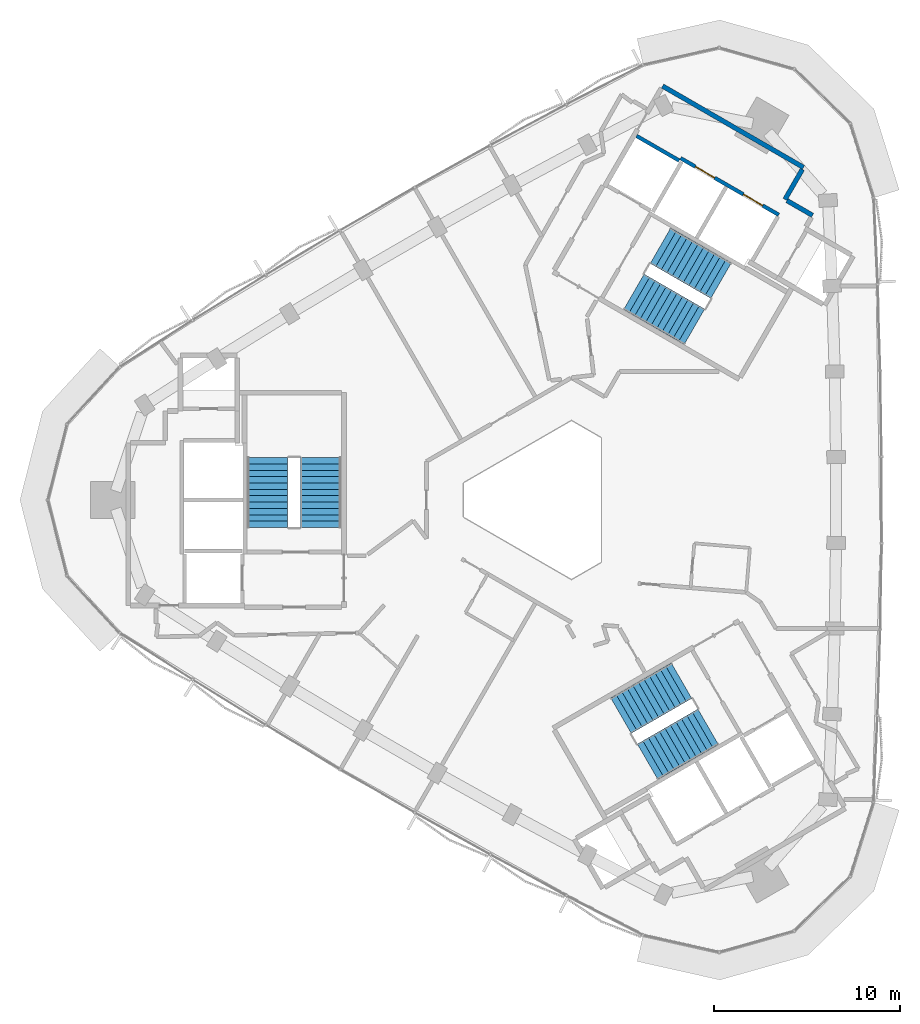
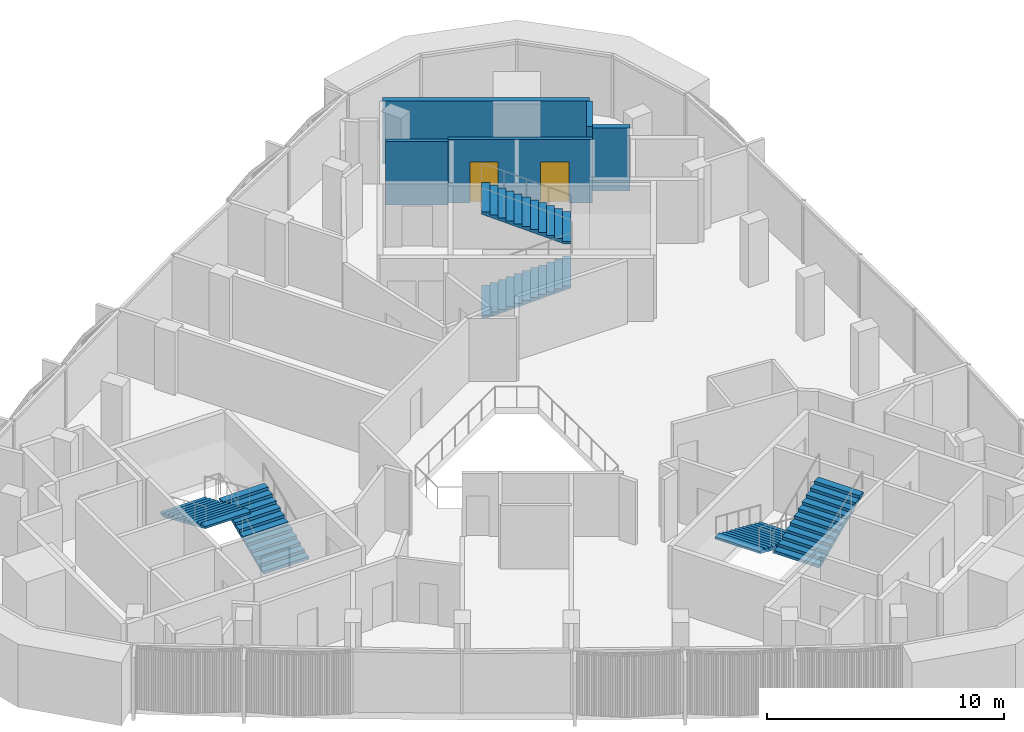
# One storey, part 9 of 12: 6 stair flights, 5 walls, 2 doors, 2 openings, 3 elements without a shape of their own.
"""IFC4 building model written with IfcOpenShell, lengths in metres."""

from ifc_helpers import new_model, si_unit, direction, frame, frame_2d, origin, place, context, subcontext, project, spatial, polyline, rectangle, outline, extrude, material, layer, layer_set, type_object, element, fill, aggregate, save


model = new_model("IFC4")

# Units and contexts
model_context = context("Model", 3, precision=1e-05, world=origin(), true_north=direction((0.0, 1.0)))
body_context = subcontext(model_context, "Body", "Model", "MODEL_VIEW")
ifc_project = project(units=[si_unit("LENGTHUNIT", "METRE"), si_unit("AREAUNIT", "SQUARE_METRE"), si_unit("VOLUMEUNIT", "CUBIC_METRE"), si_unit("PLANEANGLEUNIT", "RADIAN"), si_unit("MASSUNIT", "GRAM", prefix="KILO")], contexts=[model_context])

# Site, building, storey
site_placement = place(None, origin())
site = spatial("IfcSite", under=ifc_project, at=site_placement, CompositionType="ELEMENT")
building_placement = place(site_placement, origin())
building = spatial("IfcBuilding", under=site, at=building_placement, Name="Tamra Quay Hotel Tower", CompositionType="ELEMENT")
storey_placement = place(building_placement, frame((0.0, 0.0, 280.199951171875)))
storey = spatial("IfcBuildingStorey", under=building, at=storey_placement, Name="L71", CompositionType="ELEMENT", Elevation=280.199951171875)

# Wall, openings, doors
ifc_material_1 = material(Name="Concrete M70", Category="concrete")
ifc_layer_1 = layer(ifc_material_1, 0.199951171875)
ifc_layer_set_1 = layer_set([ifc_layer_1], Name="Concrete M70 core wall 200")
wall_type_1 = type_object("IfcWallType", Name="Concrete M70 core wall 200", PredefinedType="SHEAR", material=ifc_layer_set_1)
wall_1_placement = place(storey_placement, frame((12.552490234375, 15.341552734375, 0.0), z_axis=(0.0, 0.0, 1.0), x_axis=(-0.866030299012, 0.499991521122, 0.0)))
wall_1 = element("IfcWall", 1, at=wall_1_placement, inside=storey, type_object=wall_type_1, Name="CW2", PredefinedType="SHEAR", context=body_context, shape_type="SweptSolid", body=[
    extrude(rectangle(XDim=6.10009765625, YDim=0.199951171875, at=frame_2d((3.050048828125, 0.0))), origin(), (0.0, 0.0, 1.0), 3.25),
])
opening_1_placement = place(wall_1_placement, frame((1.0, 0.0, 0.0)))
opening_1 = element("IfcOpeningElement", 2, at=opening_1_placement, cuts=wall_1, Name="Opening LD", PredefinedType="OPENING", context=body_context, shape_type="SweptSolid", body=[
    extrude(rectangle(XDim=1.199951171875, YDim=2.10009765625, at=frame_2d((0.60009765625, 1.050048828125))), frame((0.0, 0.10986328125, 0.0), z_axis=(0.0, -1.0, 0.0), x_axis=(1.0, 0.0, 0.0)), (0.0, 0.0, 1.0), 0.219970703125),
])
opening_2_placement = place(wall_1_placement, frame((3.982177734375, 0.0, 0.0)))
opening_2 = element("IfcOpeningElement", 3, at=opening_2_placement, cuts=wall_1, Name="Opening LD", PredefinedType="OPENING", context=body_context, shape_type="SweptSolid", body=[
    extrude(rectangle(XDim=1.199951171875, YDim=2.10009765625, at=frame_2d((0.60009765625, 1.050048828125))), frame((0.0, 0.10986328125, 0.0), z_axis=(0.0, -1.0, 0.0), x_axis=(1.0, 0.0, 0.0)), (0.0, 0.0, 1.0), 0.219970703125),
])
ifc_material_2 = material(Name="Landing door LD 1200 double door sliding")
door_type = type_object("IfcDoorType", Name="Landing door LD 1200 double door sliding", OperationType="DOUBLE_DOOR_SLIDING", PredefinedType="DOOR", material=ifc_material_2)
door_1_placement = place(opening_1_placement, origin())
door_1 = element("IfcDoor", 4, at=door_1_placement, inside=storey, type_object=door_type, Name="LD", OperationType="DOUBLE_DOOR_SLIDING", OverallHeight=2.10009765625, OverallWidth=1.199951171875, PredefinedType="DOOR", context=body_context, shape_type="SweptSolid", body=[
    extrude(rectangle(XDim=1.199951171875, YDim=2.10009765625, at=frame_2d((0.60009765625, 1.050048828125))), frame((0.0, 0.02490234375, 0.0), z_axis=(0.0, -1.0, 0.0), x_axis=(1.0, 0.0, 0.0)), (0.0, 0.0, 1.0), 0.050048828125),
])
fill(opening_1, door_1)
door_2_placement = place(opening_2_placement, origin())
door_2 = element("IfcDoor", 5, at=door_2_placement, inside=storey, type_object=door_type, Name="LD", OperationType="DOUBLE_DOOR_SLIDING", OverallHeight=2.10009765625, OverallWidth=1.199951171875, PredefinedType="DOOR", context=body_context, shape_type="SweptSolid", body=[
    extrude(rectangle(XDim=1.199951171875, YDim=2.10009765625, at=frame_2d((0.60009765625, 1.050048828125))), frame((0.0, 0.02490234375, 0.0), z_axis=(0.0, -1.0, 0.0), x_axis=(1.0, 0.0, 0.0)), (0.0, 0.0, 1.0), 0.050048828125),
])
fill(opening_2, door_2)

# Walls
wall_2_placement = place(storey_placement, frame((7.1962890625, 18.260498046875, 0.0), z_axis=(0.0, 0.0, 1.0), x_axis=(-0.866018407898, 0.500012117035, 0.0)))
element("IfcWall", 6, at=wall_2_placement, inside=storey, type_object=wall_type_1, Name="CW2", PredefinedType="SHEAR", context=body_context, shape_type="SweptSolid", body=[
    extrude(rectangle(XDim=2.65087890625, YDim=0.199951171875, at=frame_2d((1.325439453125, 0.0))), origin(), (0.0, 0.0, 1.0), 3.25),
])
ifc_layer_2 = layer(ifc_material_1, 0.25)
ifc_layer_set_2 = layer_set([ifc_layer_2], Name="Concrete M70 core wall 250")
wall_type_2 = type_object("IfcWallType", Name="Concrete M70 core wall 250", PredefinedType="SHEAR", material=ifc_layer_set_2)
wall_3_placement = place(storey_placement, frame((6.303955078125, 22.268798828125, 0.0), z_axis=(0.0, 0.0, 1.0), x_axis=(0.866022959057, -0.500004234368, 0.0)))
element("IfcWall", 7, at=wall_3_placement, inside=storey, type_object=wall_type_2, Name="CW1", PredefinedType="SHEAR", context=body_context, shape_type="SweptSolid", body=[
    extrude(rectangle(XDim=8.75, YDim=0.25, at=frame_2d((4.375, 0.0))), origin(), (0.0, 0.0, 1.0), 3.25),
])
wall_4_placement = place(storey_placement, frame((13.819091796875, 17.78515625, 0.0), z_axis=(0.0, 0.0, 1.0), x_axis=(-0.500039802285, -0.866002422705, 0.0)))
element("IfcWall", 8, at=wall_4_placement, inside=storey, type_object=wall_type_2, Name="CW1", PredefinedType="SHEAR", context=body_context, shape_type="SweptSolid", body=[
    extrude(rectangle(XDim=1.864501953125, YDim=0.25, at=frame_2d((0.93212890625, 0.0))), origin(), (0.0, 0.0, 1.0), 3.25),
])
wall_5_placement = place(storey_placement, frame((12.995361328125, 16.107666015625, 0.0), z_axis=(0.0, 0.0, 1.0), x_axis=(0.866044474677, -0.49996696679, 0.0)))
element("IfcWall", 9, at=wall_5_placement, inside=storey, type_object=wall_type_2, Name="CW1", PredefinedType="SHEAR", context=body_context, shape_type="SweptSolid", body=[
    extrude(rectangle(XDim=1.58447265625, YDim=0.25, at=frame_2d((0.792236328125, 0.0))), origin(), (0.0, 0.0, 1.0), 3.25),
])

# Stair, stair flights
ifc_material_3 = material(Name="Exit stair 2200 24 risers 150.0 going 342")
stair_type = type_object("IfcStairType", Name="Exit stair 2200 24 risers 150.0 going 342", PredefinedType="HALF_TURN_STAIR", material=ifc_material_3)
stair_1_placement = place(storey_placement, origin())
stair_1 = element("IfcStair", 10, at=stair_1_placement, inside=storey, type_object=stair_type, Name="L71 Exit stair ST3", PredefinedType="HALF_TURN_STAIR")
ifc_material_4 = material(Name="Exit stair flight 2200 12 risers 150.0")
stair_flight_type = type_object("IfcStairFlightType", Name="Exit stair flight 2200 12 risers 150.0", PredefinedType="STRAIGHT", material=ifc_material_4)
stair_flight_1_placement = place(storey_placement, frame((-12.082275390625, -1.47998046875, 0.0), z_axis=(0.0, 0.0, 1.0), x_axis=(0.0, 1.0, 0.0)))
stair_flight_1 = element("IfcStairFlight", 11, at=stair_flight_1_placement, type_object=stair_flight_type, Name="ST3 flight 1", NumberOfRisers=12, NumberOfTreads=11, PredefinedType="STRAIGHT", RiserHeight=0.15, TreadLength=0.342, context=body_context, shape_type="SweptSolid", body=[
    extrude(outline(polyline([(0.0, 0.0), (0.0, 0.14990234375), (0.342041015625, 0.14990234375), (0.342041015625, 0.300048828125), (0.68408203125, 0.300048828125), (0.68408203125, 0.449951171875), (1.02587890625, 0.449951171875), (1.02587890625, 0.60009765625), (1.367919921875, 0.60009765625), (1.367919921875, 0.75), (1.7099609375, 0.75), (1.7099609375, 0.89990234375), (2.052001953125, 0.89990234375), (2.052001953125, 1.050048828125), (2.39404296875, 1.050048828125), (2.39404296875, 1.199951171875), (2.736083984375, 1.199951171875), (2.736083984375, 1.35009765625), (3.077880859375, 1.35009765625), (3.077880859375, 1.5), (3.419921875, 1.5), (3.419921875, 1.64990234375), (3.761962890625, 1.64990234375), (3.761962890625, 1.800048828125), (3.761962890625, 1.540771484375), (0.249267578125, 0.0), (0.0, 0.0)])), frame((0.0, 1.10009765625, 0.0), z_axis=(0.0, -1.0, 0.0), x_axis=(1.0, 0.0, 0.0)), (0.0, 0.0, 1.0), 2.199951171875),
])
stair_flight_2_placement = place(storey_placement, frame((-14.94140625, 2.281982421875, 1.800048828125), z_axis=(0.0, 0.0, 1.0), x_axis=(0.0, -1.0, 0.0)))
stair_flight_2 = element("IfcStairFlight", 12, at=stair_flight_2_placement, type_object=stair_flight_type, Name="ST3 flight 2", NumberOfRisers=12, NumberOfTreads=11, PredefinedType="STRAIGHT", RiserHeight=0.15, TreadLength=0.342, context=body_context, shape_type="SweptSolid", body=[
    extrude(outline(polyline([(0.0, 0.0), (0.0, 0.14990234375), (0.342041015625, 0.14990234375), (0.342041015625, 0.300048828125), (0.68408203125, 0.300048828125), (0.68408203125, 0.449951171875), (1.02587890625, 0.449951171875), (1.02587890625, 0.60009765625), (1.367919921875, 0.60009765625), (1.367919921875, 0.75), (1.7099609375, 0.75), (1.7099609375, 0.89990234375), (2.052001953125, 0.89990234375), (2.052001953125, 1.050048828125), (2.39404296875, 1.050048828125), (2.39404296875, 1.199951171875), (2.736083984375, 1.199951171875), (2.736083984375, 1.35009765625), (3.077880859375, 1.35009765625), (3.077880859375, 1.5), (3.419921875, 1.5), (3.419921875, 1.64990234375), (3.761962890625, 1.64990234375), (3.761962890625, 1.800048828125), (3.761962890625, 1.540771484375), (0.249267578125, 0.0), (0.0, 0.0)])), frame((0.0, 1.10009765625, 0.0), z_axis=(0.0, -1.0, 0.0), x_axis=(1.0, 0.0, 0.0)), (0.0, 0.0, 1.0), 2.199951171875),
])
aggregate(stair_1, [stair_flight_1, stair_flight_2])

stair_2_placement = place(storey_placement, origin())
stair_2 = element("IfcStair", 13, at=stair_2_placement, inside=storey, type_object=stair_type, Name="L71 Exit stair ST1", PredefinedType="HALF_TURN_STAIR")
stair_flight_3_placement = place(storey_placement, frame((4.75927734375, 11.20361328125, 0.0), z_axis=(0.0, 0.0, 1.0), x_axis=(0.866025403784, -0.5, 0.0)))
stair_flight_3 = element("IfcStairFlight", 14, at=stair_flight_3_placement, type_object=stair_flight_type, Name="ST1 flight 1", NumberOfRisers=12, NumberOfTreads=11, PredefinedType="STRAIGHT", RiserHeight=0.15, TreadLength=0.342, context=body_context, shape_type="SweptSolid", body=[
    extrude(outline(polyline([(0.0, 0.0), (0.0, 0.14990234375), (0.342041015625, 0.14990234375), (0.342041015625, 0.300048828125), (0.68408203125, 0.300048828125), (0.68408203125, 0.449951171875), (1.02587890625, 0.449951171875), (1.02587890625, 0.60009765625), (1.367919921875, 0.60009765625), (1.367919921875, 0.75), (1.7099609375, 0.75), (1.7099609375, 0.89990234375), (2.052001953125, 0.89990234375), (2.052001953125, 1.050048828125), (2.39404296875, 1.050048828125), (2.39404296875, 1.199951171875), (2.736083984375, 1.199951171875), (2.736083984375, 1.35009765625), (3.077880859375, 1.35009765625), (3.077880859375, 1.5), (3.419921875, 1.5), (3.419921875, 1.64990234375), (3.761962890625, 1.64990234375), (3.761962890625, 1.800048828125), (3.761962890625, 1.540771484375), (0.249267578125, 0.0), (0.0, 0.0)])), frame((0.0, 1.10009765625, 0.0), z_axis=(0.0, -1.0, 0.0), x_axis=(1.0, 0.0, 0.0)), (0.0, 0.0, 1.0), 2.199951171875),
])
stair_flight_4_placement = place(storey_placement, frame((9.44677734375, 11.798583984375, 1.800048828125), z_axis=(0.0, 0.0, 1.0), x_axis=(-0.866025403784, 0.5, 0.0)))
stair_flight_4 = element("IfcStairFlight", 15, at=stair_flight_4_placement, type_object=stair_flight_type, Name="ST1 flight 2", NumberOfRisers=12, NumberOfTreads=11, PredefinedType="STRAIGHT", RiserHeight=0.15, TreadLength=0.342, context=body_context, shape_type="SweptSolid", body=[
    extrude(outline(polyline([(0.0, 0.0), (0.0, 0.14990234375), (0.342041015625, 0.14990234375), (0.342041015625, 0.300048828125), (0.68408203125, 0.300048828125), (0.68408203125, 0.449951171875), (1.02587890625, 0.449951171875), (1.02587890625, 0.60009765625), (1.367919921875, 0.60009765625), (1.367919921875, 0.75), (1.7099609375, 0.75), (1.7099609375, 0.89990234375), (2.052001953125, 0.89990234375), (2.052001953125, 1.050048828125), (2.39404296875, 1.050048828125), (2.39404296875, 1.199951171875), (2.736083984375, 1.199951171875), (2.736083984375, 1.35009765625), (3.077880859375, 1.35009765625), (3.077880859375, 1.5), (3.419921875, 1.5), (3.419921875, 1.64990234375), (3.761962890625, 1.64990234375), (3.761962890625, 1.800048828125), (3.761962890625, 1.540771484375), (0.249267578125, 0.0), (0.0, 0.0)])), frame((0.0, 1.10009765625, 0.0), z_axis=(0.0, -1.0, 0.0), x_axis=(1.0, 0.0, 0.0)), (0.0, 0.0, 1.0), 2.199951171875),
])
aggregate(stair_2, [stair_flight_3, stair_flight_4])

stair_3_placement = place(storey_placement, origin())
stair_3 = element("IfcStair", 16, at=stair_3_placement, inside=storey, type_object=stair_type, Name="L71 Exit stair ST2", PredefinedType="HALF_TURN_STAIR")
stair_flight_5_placement = place(storey_placement, frame((7.322998046875, -9.7236328125, 0.0), z_axis=(0.0, 0.0, 1.0), x_axis=(-0.866025403784, -0.5, 0.0)))
stair_flight_5 = element("IfcStairFlight", 17, at=stair_flight_5_placement, type_object=stair_flight_type, Name="ST2 flight 1", NumberOfRisers=12, NumberOfTreads=11, PredefinedType="STRAIGHT", RiserHeight=0.15, TreadLength=0.342, context=body_context, shape_type="SweptSolid", body=[
    extrude(outline(polyline([(0.0, 0.0), (0.0, 0.14990234375), (0.342041015625, 0.14990234375), (0.342041015625, 0.300048828125), (0.68408203125, 0.300048828125), (0.68408203125, 0.449951171875), (1.02587890625, 0.449951171875), (1.02587890625, 0.60009765625), (1.367919921875, 0.60009765625), (1.367919921875, 0.75), (1.7099609375, 0.75), (1.7099609375, 0.89990234375), (2.052001953125, 0.89990234375), (2.052001953125, 1.050048828125), (2.39404296875, 1.050048828125), (2.39404296875, 1.199951171875), (2.736083984375, 1.199951171875), (2.736083984375, 1.35009765625), (3.077880859375, 1.35009765625), (3.077880859375, 1.5), (3.419921875, 1.5), (3.419921875, 1.64990234375), (3.761962890625, 1.64990234375), (3.761962890625, 1.800048828125), (3.761962890625, 1.540771484375), (0.249267578125, 0.0), (0.0, 0.0)])), frame((0.0, 1.10009765625, 0.0), z_axis=(0.0, -1.0, 0.0), x_axis=(1.0, 0.0, 0.0)), (0.0, 0.0, 1.0), 2.199951171875),
])
stair_flight_6_placement = place(storey_placement, frame((5.494384765625, -14.08056640625, 1.800048828125), z_axis=(0.0, 0.0, 1.0), x_axis=(0.866025403784, 0.5, 0.0)))
stair_flight_6 = element("IfcStairFlight", 18, at=stair_flight_6_placement, type_object=stair_flight_type, Name="ST2 flight 2", NumberOfRisers=12, NumberOfTreads=11, PredefinedType="STRAIGHT", RiserHeight=0.15, TreadLength=0.342, context=body_context, shape_type="SweptSolid", body=[
    extrude(outline(polyline([(0.0, 0.0), (0.0, 0.14990234375), (0.342041015625, 0.14990234375), (0.342041015625, 0.300048828125), (0.68408203125, 0.300048828125), (0.68408203125, 0.449951171875), (1.02587890625, 0.449951171875), (1.02587890625, 0.60009765625), (1.367919921875, 0.60009765625), (1.367919921875, 0.75), (1.7099609375, 0.75), (1.7099609375, 0.89990234375), (2.052001953125, 0.89990234375), (2.052001953125, 1.050048828125), (2.39404296875, 1.050048828125), (2.39404296875, 1.199951171875), (2.736083984375, 1.199951171875), (2.736083984375, 1.35009765625), (3.077880859375, 1.35009765625), (3.077880859375, 1.5), (3.419921875, 1.5), (3.419921875, 1.64990234375), (3.761962890625, 1.64990234375), (3.761962890625, 1.800048828125), (3.761962890625, 1.540771484375), (0.249267578125, 0.0), (0.0, 0.0)])), frame((0.0, 1.10009765625, 0.0), z_axis=(0.0, -1.0, 0.0), x_axis=(1.0, 0.0, 0.0)), (0.0, 0.0, 1.0), 2.199951171875),
])
aggregate(stair_3, [stair_flight_5, stair_flight_6])

save(model, "model.ifc")
